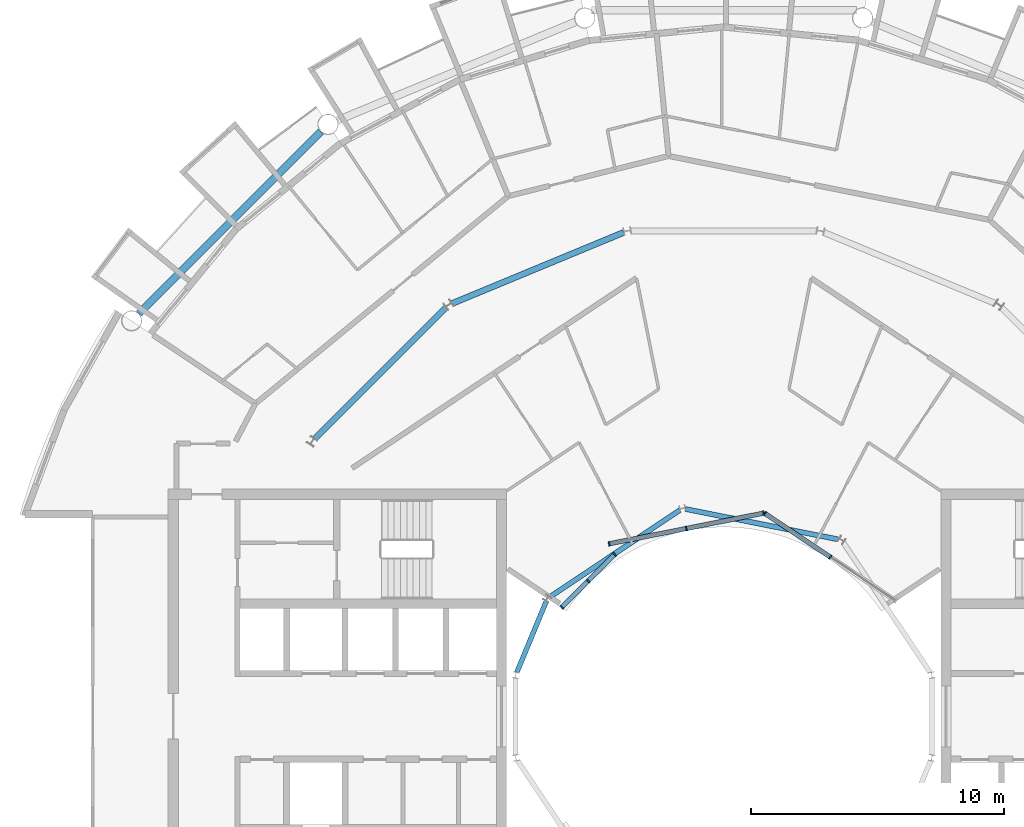
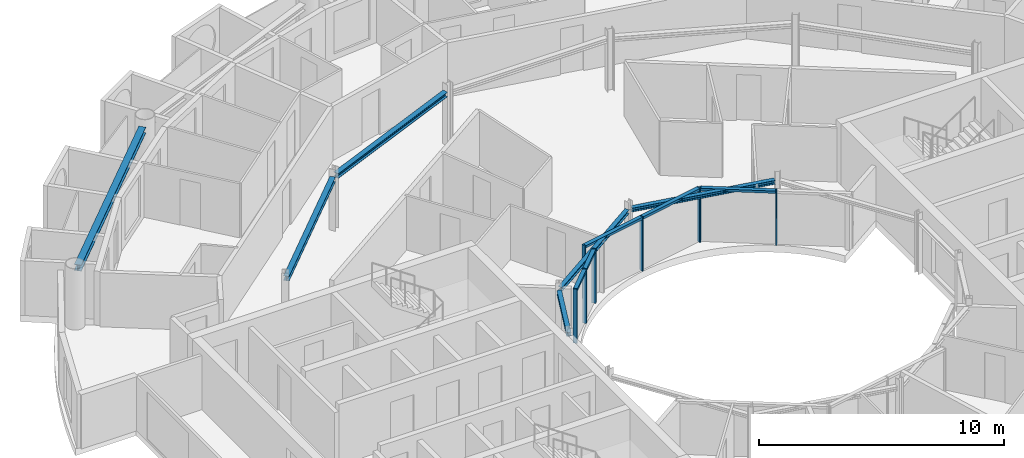
# One storey, part 9 of 28: 13 members, 6 beams, 3 elements without a shape of their own.
"""IFC4 building model written with IfcOpenShell, lengths in metres."""

import ifcopenshell
import ifcopenshell.guid

model = None  # the IFC model being written
_history = None  # IfcOwnerHistory: only IFC2X3 demands one
_inside = {}  # id of a spatial element -> (the spatial element, [elements in it])
_under = {}  # id of a project, library or spatial element -> (it, [spatial elements below it])
_declared = {}  # id of a project -> (the project, [libraries it declares])
_typed = {}  # id of a type object -> (the type object, [elements of that type])
_made_of = {}  # id of a material, layer set ... -> (it, [elements and type objects made of it])


def new_model(schema):
    """Start an empty IFC model of exactly this schema.

    Asked for "IFC4X3", IfcOpenShell would pick the latest addendum, in which some entities
    have other attributes; the version numbers below select the first issue.
    IFC2X3 requires an IfcOwnerHistory on every rooted entity: one is made here for all.
    """
    global model, _history
    if schema == "IFC4X3":
        model = ifcopenshell.file(schema_version=(4, 3, 0, 0))
    else:
        model = ifcopenshell.file(schema=schema)
    _inside.clear()
    _under.clear()
    _declared.clear()
    _typed.clear()
    _made_of.clear()
    _history = None
    if model.schema == "IFC2X3":
        org = make("IfcOrganization", Name="unknown")
        user = make(
            "IfcPersonAndOrganization",
            ThePerson=make("IfcPerson", FamilyName="unknown"),
            TheOrganization=org,
        )
        app = make(
            "IfcApplication",
            ApplicationDeveloper=org,
            Version="unknown",
            ApplicationFullName="unknown",
            ApplicationIdentifier="unknown",
        )
        _history = make(
            "IfcOwnerHistory",
            OwningUser=user,
            OwningApplication=app,
            ChangeAction="ADDED",
            CreationDate=0,
        )
    return model


def make(cls, **values):
    """One entity of the class cls with the attributes given. An attribute that is None is left unset."""
    return model.create_entity(
        cls, **{name: value for name, value in values.items() if value is not None}
    )


def rooted(cls, **values):
    """An entity with a GlobalId (a new one), such as an element, a storey or a relation."""
    return make(cls, GlobalId=ifcopenshell.guid.new(), OwnerHistory=_history, **values)


def si_unit(unit_type, name, prefix=None):
    """IfcSIUnit, for example si_unit("LENGTHUNIT", "METRE", prefix="MILLI")."""
    return make("IfcSIUnit", UnitType=unit_type, Prefix=prefix, Name=name)


def assignment(units):
    """IfcUnitAssignment: the units of a project."""
    return None if units is None else make("IfcUnitAssignment", Units=units)


def point(xyz):
    """IfcCartesianPoint."""
    return None if xyz is None else make("IfcCartesianPoint", Coordinates=xyz)


def direction(xyz):
    """IfcDirection."""
    return None if xyz is None else make("IfcDirection", DirectionRatios=xyz)


def frame(location, z_axis=None, x_axis=None):
    """IfcAxis2Placement3D, a coordinate frame: its origin and axes. An axis left out is left unset."""
    return make(
        "IfcAxis2Placement3D",
        Location=point(location),
        Axis=direction(z_axis),
        RefDirection=direction(x_axis),
    )


def frame_2d(location, x_axis=None):
    """IfcAxis2Placement2D, a coordinate frame in the plane: its origin and x axis."""
    return make(
        "IfcAxis2Placement2D", Location=point(location), RefDirection=direction(x_axis)
    )


def origin():
    """The frame at (0, 0, 0) with its axes left unset."""
    return frame((0.0, 0.0, 0.0))


def origin_2d():
    """The frame at (0, 0) in the plane with its x axis left unset."""
    return frame_2d((0.0, 0.0))


def place(relative_to, where):
    """IfcLocalPlacement: puts the frame where relative to a parent placement (None: the world)."""
    return make(
        "IfcLocalPlacement", PlacementRelTo=relative_to, RelativePlacement=where
    )


def context(
    kind, dimensions, precision=None, world=None, true_north=None, identifier=None
):
    """IfcGeometricRepresentationContext, for example the 3D "Model" context."""
    return make(
        "IfcGeometricRepresentationContext",
        ContextIdentifier=identifier,
        ContextType=kind,
        CoordinateSpaceDimension=dimensions,
        Precision=precision,
        WorldCoordinateSystem=world,
        TrueNorth=true_north,
    )


def subcontext(parent, identifier, kind, view, scale=None):
    """IfcGeometricRepresentationSubContext, for example "Body" below "Model"."""
    return make(
        "IfcGeometricRepresentationSubContext",
        ContextIdentifier=identifier,
        ContextType=kind,
        ParentContext=parent,
        TargetScale=scale,
        TargetView=view,
    )


def project(units=None, contexts=None):
    """IfcProject with its units and contexts."""
    return rooted(
        "IfcProject",
        Name="project",
        RepresentationContexts=contexts,
        UnitsInContext=assignment(units),
    )


def spatial(cls, under=None, at=None, **own):
    """A site, building, storey or space (cls), placed at a placement, below another one or the project."""
    s = rooted(cls, ObjectPlacement=at, **own)
    if under is not None:
        _under.setdefault(under.id(), (under, []))[1].append(s)
    return s


def profile(cls, at=None, kind="AREA", **sizes):
    """A parametric profile (cls). Its sizes go by their IFC names, for example OverallWidth=200.0."""
    return make(cls, ProfileType=kind, Position=at, **sizes)


def rectangle(**sizes):
    """IfcRectangleProfileDef."""
    return profile("IfcRectangleProfileDef", **sizes)


def i_section(**sizes):
    """IfcIShapeProfileDef."""
    return profile("IfcIShapeProfileDef", **sizes)


def extrude(swept, where, along, depth):
    """IfcExtrudedAreaSolid: the profile swept, set in the frame where, extruded along a direction by depth."""
    return make(
        "IfcExtrudedAreaSolid",
        SweptArea=swept,
        Position=where,
        ExtrudedDirection=direction(along),
        Depth=depth,
    )


def shape(context_of_items, identifier, shape_type, items):
    """IfcShapeRepresentation: the items that make up one representation, for example the "Body"."""
    return make(
        "IfcShapeRepresentation",
        ContextOfItems=context_of_items,
        RepresentationIdentifier=identifier,
        RepresentationType=shape_type,
        Items=items,
    )


def material(Name=None, Category=None):
    """IfcMaterial."""
    return make("IfcMaterial", Name=Name, Category=Category)


def layer(
    of_material, thickness, ventilated=None, Name=None, Category=None, Priority=None
):
    """IfcMaterialLayer: one layer of a wall or slab, of a material (None: an air gap)."""
    return make(
        "IfcMaterialLayer",
        Material=of_material,
        LayerThickness=thickness,
        IsVentilated=ventilated,
        Name=Name,
        Category=Category,
        Priority=Priority,
    )


def layer_set(layers, Name=None):
    """IfcMaterialLayerSet."""
    return make("IfcMaterialLayerSet", MaterialLayers=layers, LayerSetName=Name)


def material_profile(
    of_material, cross_section, Name=None, Category=None, Priority=None
):
    """IfcMaterialProfile: a cross section and its material."""
    return make(
        "IfcMaterialProfile",
        Name=Name,
        Material=of_material,
        Profile=cross_section,
        Priority=Priority,
        Category=Category,
    )


def profile_set(profiles, Name=None, composite=None):
    """IfcMaterialProfileSet."""
    return make(
        "IfcMaterialProfileSet",
        Name=Name,
        MaterialProfiles=profiles,
        CompositeProfile=composite,
    )


def made_of(thing, what):
    """Note that an element or type object is made of a material, layer set ...; save() writes the relation."""
    if what is not None:
        _made_of.setdefault(what.id(), (what, []))[1].append(thing)
    return thing


def type_object(cls, material=None, **own):
    """A type object (cls), such as IfcWallType, which elements share."""
    return made_of(rooted(cls, **own), material)


def element(
    cls,
    number,
    at=None,
    inside=None,
    cuts=None,
    type_object=None,
    material=None,
    context=None,
    identifier="Body",
    shape_type=None,
    held_by="IfcProductDefinitionShape",
    body=None,
    shapes=None,
    **own,
):
    """One element of the class cls, such as IfcWall. Its Tag is "e" and its number.

    at: its placement. inside: the storey or other place that contains it. cuts: it is an
    opening in that element (IfcRelVoidsElement). A single representation is given by context,
    identifier, shape_type and body (its items); several are given by shapes. held_by: the class
    of the entity that holds the representations. save() writes the other relations.
    """
    e = rooted(cls, Tag="e%d" % number, ObjectPlacement=at, **own)
    if body is not None:
        shapes = [shape(context, identifier, shape_type, body)]
    if shapes is not None:
        e.Representation = make(held_by, Representations=shapes)
    if inside is not None:
        _inside.setdefault(inside.id(), (inside, []))[1].append(e)
    if cuts is not None:
        rooted(
            "IfcRelVoidsElement", RelatingBuildingElement=cuts, RelatedOpeningElement=e
        )
    if type_object is not None:
        _typed.setdefault(type_object.id(), (type_object, []))[1].append(e)
    return made_of(e, material)


def aggregate(whole, parts):
    """IfcRelAggregates: a whole, such as a stair, and the parts it consists of."""
    return rooted("IfcRelAggregates", RelatingObject=whole, RelatedObjects=parts)


def save(model, path):
    """Write the relations noted so far, then the file.

    IfcRelAggregates (storeys below a building ...), IfcRelContainedInSpatialStructure (elements
    in a storey), IfcRelDefinesByType, IfcRelAssociatesMaterial and IfcRelDeclares: one each for
    every whole, place, type object, material and project.
    """
    for whole, parts in _under.values():
        aggregate(whole, parts)
    for where, things in _inside.values():
        rooted(
            "IfcRelContainedInSpatialStructure",
            RelatedElements=things,
            RelatingStructure=where,
        )
    for kind, things in _typed.values():
        rooted("IfcRelDefinesByType", RelatedObjects=things, RelatingType=kind)
    for what, things in _made_of.values():
        rooted("IfcRelAssociatesMaterial", RelatedObjects=things, RelatingMaterial=what)
    for by, libraries in _declared.values():
        rooted("IfcRelDeclares", RelatingContext=by, RelatedDefinitions=libraries)
    model.write(path)


model = new_model("IFC4")

# Units and contexts
model_context = context("Model", 3, precision=1e-05, world=origin(), true_north=direction((0.0, 1.0)))
body_context = subcontext(model_context, "Body", "Model", "MODEL_VIEW")
ifc_project = project(units=[si_unit("LENGTHUNIT", "METRE"), si_unit("AREAUNIT", "SQUARE_METRE"), si_unit("VOLUMEUNIT", "CUBIC_METRE"), si_unit("PLANEANGLEUNIT", "RADIAN"), si_unit("MASSUNIT", "GRAM", prefix="KILO")], contexts=[model_context])

# Site, building, storey
site_placement = place(None, origin())
site = spatial("IfcSite", under=ifc_project, at=site_placement, CompositionType="ELEMENT")
building_placement = place(site_placement, origin())
building = spatial("IfcBuilding", under=site, at=building_placement, Name="Maasbend Ring Residences", CompositionType="ELEMENT")
storey_placement = place(building_placement, frame((0.0, 0.0, 227.949951171875)))
storey = spatial("IfcBuildingStorey", under=building, at=storey_placement, Name="L65", CompositionType="ELEMENT", Elevation=227.949951171875)

# Curtain wall, members
ifc_material_1 = material(Name="Aluminium and clear glass", Category="aluminium")
ifc_layer = layer(ifc_material_1, 0.179931640625)
ifc_layer_set = layer_set([ifc_layer], Name="CW-W")
curtain_wall_type = type_object("IfcCurtainWallType", Name="CW-W", PredefinedType="NOTDEFINED", material=ifc_layer_set)
curtain_wall_1_placement = place(storey_placement, origin())
curtain_wall_1 = element("IfcCurtainWall", 1, at=curtain_wall_1_placement, inside=storey, type_object=curtain_wall_type, Name="Well curtain wall N1", PredefinedType="NOTDEFINED")
ifc_material_2 = material(Name="Aluminium 6063-T6", Category="aluminium")
ifc_material_profile_1 = material_profile(ifc_material_2, rectangle(XDim=0.179931640625, YDim=0.06005859375, at=origin_2d()), Name="AL 180x60")
ifc_profile_set_1 = profile_set([ifc_material_profile_1], Name="Aluminium 6063-T6")
member_type_1 = type_object("IfcMemberType", Name="CWM-W", PredefinedType="MULLION", material=ifc_profile_set_1)
member_1_placement = place(storey_placement, frame((4.216796875, 6.310791015625, 0.0), z_axis=(0.0, 0.0, 1.0), x_axis=(-0.55557023302, -0.831469612303, 0.0)))
member_1 = element("IfcMember", 2, at=member_1_placement, type_object=member_type_1, Name="Mullion well face", PredefinedType="MULLION", context=body_context, shape_type="SweptSolid", body=[
    extrude(rectangle(XDim=0.179931640625, YDim=0.06005859375, at=origin_2d()), origin(), (0.0, 0.0, 1.0), 2.699951171875),
])
member_2_placement = place(storey_placement, frame((1.627685546875, 8.040771484375, 0.0), z_axis=(0.0, 0.0, 1.0), x_axis=(-0.55557023302, -0.831469612303, 0.0)))
member_2 = element("IfcMember", 3, at=member_2_placement, type_object=member_type_1, Name="Mullion well face", PredefinedType="MULLION", context=body_context, shape_type="SweptSolid", body=[
    extrude(rectangle(XDim=0.179931640625, YDim=0.06005859375, at=origin_2d()), origin(), (0.0, 0.0, 1.0), 2.699951171875),
])

curtain_wall_2_placement = place(storey_placement, origin())
curtain_wall_2 = element("IfcCurtainWall", 4, at=curtain_wall_2_placement, inside=storey, type_object=curtain_wall_type, Name="Well curtain wall N2", PredefinedType="NOTDEFINED")
member_3_placement = place(storey_placement, frame((1.5732421875, 8.0517578125, 0.0), z_axis=(0.0, 0.0, 1.0), x_axis=(0.195090322016, -0.980785280403, 0.0)))
member_3 = element("IfcMember", 5, at=member_3_placement, type_object=member_type_1, Name="Mullion well face", PredefinedType="MULLION", context=body_context, shape_type="SweptSolid", body=[
    extrude(rectangle(XDim=0.179931640625, YDim=0.06005859375, at=origin_2d()), origin(), (0.0, 0.0, 1.0), 2.699951171875),
])
member_4_placement = place(storey_placement, frame((-1.480712890625, 7.444091796875, 0.0), z_axis=(0.0, 0.0, 1.0), x_axis=(0.195090322016, -0.980785280403, 0.0)))
member_4 = element("IfcMember", 6, at=member_4_placement, type_object=member_type_1, Name="Mullion well face", PredefinedType="MULLION", context=body_context, shape_type="SweptSolid", body=[
    extrude(rectangle(XDim=0.179931640625, YDim=0.06005859375, at=origin_2d()), origin(), (0.0, 0.0, 1.0), 2.699951171875),
])
member_5_placement = place(storey_placement, frame((-4.53466796875, 6.836669921875, 0.0), z_axis=(0.0, 0.0, 1.0), x_axis=(0.195090322016, -0.980785280403, 0.0)))
member_5 = element("IfcMember", 7, at=member_5_placement, type_object=member_type_1, Name="Mullion well face", PredefinedType="MULLION", context=body_context, shape_type="SweptSolid", body=[
    extrude(rectangle(XDim=0.179931640625, YDim=0.06005859375, at=origin_2d()), origin(), (0.0, 0.0, 1.0), 2.699951171875),
])

curtain_wall_3_placement = place(storey_placement, origin())
curtain_wall_3 = element("IfcCurtainWall", 8, at=curtain_wall_3_placement, inside=storey, type_object=curtain_wall_type, Name="Well curtain wall N3", PredefinedType="NOTDEFINED")
member_6_placement = place(storey_placement, frame((-4.320556640625, 6.413330078125, 0.0), z_axis=(0.0, 0.0, 1.0), x_axis=(0.707106781187, -0.707106781187, 0.0)))
member_6 = element("IfcMember", 9, at=member_6_placement, type_object=member_type_1, Name="Mullion well face", PredefinedType="MULLION", context=body_context, shape_type="SweptSolid", body=[
    extrude(rectangle(XDim=0.179931640625, YDim=0.06005859375, at=origin_2d()), origin(), (0.0, 0.0, 1.0), 2.699951171875),
])
member_7_placement = place(storey_placement, frame((-5.366943359375, 5.366943359375, 0.0), z_axis=(0.0, 0.0, 1.0), x_axis=(0.707106781187, -0.707106781187, 0.0)))
member_7 = element("IfcMember", 10, at=member_7_placement, type_object=member_type_1, Name="Mullion well face", PredefinedType="MULLION", context=body_context, shape_type="SweptSolid", body=[
    extrude(rectangle(XDim=0.179931640625, YDim=0.06005859375, at=origin_2d()), origin(), (0.0, 0.0, 1.0), 2.699951171875),
])
member_8_placement = place(storey_placement, frame((-6.413330078125, 4.320556640625, 0.0), z_axis=(0.0, 0.0, 1.0), x_axis=(0.707106781187, -0.707106781187, 0.0)))
member_8 = element("IfcMember", 11, at=member_8_placement, type_object=member_type_1, Name="Mullion well face", PredefinedType="MULLION", context=body_context, shape_type="SweptSolid", body=[
    extrude(rectangle(XDim=0.179931640625, YDim=0.06005859375, at=origin_2d()), origin(), (0.0, 0.0, 1.0), 2.699951171875),
])

# Member
ifc_material_3 = material(Name="Aluminium 6063-T6", Category="aluminium")
ifc_material_profile_2 = material_profile(ifc_material_3, rectangle(XDim=0.179931640625, YDim=0.1201171875, at=origin_2d()), Name="AL 180x120")
ifc_profile_set_2 = profile_set([ifc_material_profile_2], Name="Aluminium 6063-T6")
member_type_2 = type_object("IfcMemberType", Name="CWT-W", PredefinedType="USERDEFINED", material=ifc_profile_set_2)
member_9_placement = place(storey_placement, frame((4.19189453125, 6.32763671875, 2.64013671875), z_axis=(-0.831496422459, 0.555530106689, 0.0), x_axis=(-0.555530106689, -0.831496422459, 0.0)))
member_9 = element("IfcMember", 12, at=member_9_placement, type_object=member_type_2, Name="Transom well face", ObjectType="TRANSOM", PredefinedType="USERDEFINED", context=body_context, shape_type="SweptSolid", body=[
    extrude(rectangle(XDim=0.179931640625, YDim=0.1201171875, at=origin_2d()), origin(), (0.0, 0.0, 1.0), 3.053955078125),
])

aggregate(curtain_wall_1, [member_1, member_2, member_9])

member_10_placement = place(storey_placement, frame((1.5439453125, 8.0458984375, 2.64013671875), z_axis=(-0.980776956105, -0.195132166424, 0.0), x_axis=(0.195132166424, -0.980776956105, 0.0)))
member_10 = element("IfcMember", 13, at=member_10_placement, type_object=member_type_2, Name="Transom well face", ObjectType="TRANSOM", PredefinedType="USERDEFINED", context=body_context, shape_type="SweptSolid", body=[
    extrude(rectangle(XDim=0.179931640625, YDim=0.1201171875, at=origin_2d()), origin(), (0.0, 0.0, 1.0), 3.053955078125),
])

member_11_placement = place(storey_placement, frame((-1.51025390625, 7.438232421875, 2.64013671875), z_axis=(-0.980789210404, -0.19507056353, 0.0), x_axis=(0.19507056353, -0.980789210404, 0.0)))
member_11 = element("IfcMember", 14, at=member_11_placement, type_object=member_type_2, Name="Transom well face", ObjectType="TRANSOM", PredefinedType="USERDEFINED", context=body_context, shape_type="SweptSolid", body=[
    extrude(rectangle(XDim=0.179931640625, YDim=0.1201171875, at=origin_2d()), origin(), (0.0, 0.0, 1.0), 3.0537109375),
])

aggregate(curtain_wall_2, [member_3, member_4, member_5, member_10, member_11])

member_12_placement = place(storey_placement, frame((-4.341796875, 6.39208984375, 2.64013671875), z_axis=(-0.707106781187, -0.707106781187, 0.0), x_axis=(0.707106781187, -0.707106781187, 0.0)))
member_12 = element("IfcMember", 15, at=member_12_placement, type_object=member_type_2, Name="Transom well face", ObjectType="TRANSOM", PredefinedType="USERDEFINED", context=body_context, shape_type="SweptSolid", body=[
    extrude(rectangle(XDim=0.179931640625, YDim=0.1201171875, at=origin_2d()), origin(), (0.0, 0.0, 1.0), 1.419677734375),
])

member_13_placement = place(storey_placement, frame((-5.38818359375, 5.345703125, 2.64013671875), z_axis=(-0.707106781187, -0.707106781187, 0.0), x_axis=(0.707106781187, -0.707106781187, 0.0)))
member_13 = element("IfcMember", 16, at=member_13_placement, type_object=member_type_2, Name="Transom well face", ObjectType="TRANSOM", PredefinedType="USERDEFINED", context=body_context, shape_type="SweptSolid", body=[
    extrude(rectangle(XDim=0.179931640625, YDim=0.1201171875, at=origin_2d()), origin(), (0.0, 0.0, 1.0), 1.419677734375),
])

aggregate(curtain_wall_3, [member_6, member_7, member_8, member_12, member_13])

# Beams
ifc_material_4 = material(Name="Steel S355J2", Category="steel")
ifc_material_profile_3 = material_profile(ifc_material_4, i_section(OverallWidth=0.239990234375, OverallDepth=0.22998046875, WebThickness=0.007568359375, FlangeThickness=0.011962890625, FilletRadius=0.02099609375, at=origin_2d()), Name="HEA 240")
ifc_profile_set_3 = profile_set([ifc_material_profile_3], Name="Steel S355J2")
beam_type_1 = type_object("IfcBeamType", Name="Corridor ring beam HEA 240", PredefinedType="BEAM", material=ifc_profile_set_3)
beam_1_placement = place(storey_placement, frame((-3.965087890625, 19.164794921875, 2.5849609375), z_axis=(-0.923875784142, -0.382692481603, 0.0), x_axis=(0.382692481603, -0.923875784142, 0.0)))
element("IfcBeam", 17, at=beam_1_placement, inside=storey, type_object=beam_type_1, Name="Corridor ring beam", PredefinedType="BEAM", context=body_context, shape_type="SweptSolid", body=[
    extrude(i_section(OverallWidth=0.239990234375, OverallDepth=0.22998046875, WebThickness=0.007568359375, FlangeThickness=0.011962890625, FilletRadius=0.02099609375, at=origin_2d()), origin(), (0.0, 0.0, 1.0), 7.341552734375),
])
beam_2_placement = place(storey_placement, frame((-10.997314453125, 16.188720703125, 2.5849609375), z_axis=(-0.707106781187, -0.707106781187, 0.0), x_axis=(0.707106781187, -0.707106781187, 0.0)))
element("IfcBeam", 18, at=beam_2_placement, inside=storey, type_object=beam_type_1, Name="Corridor ring beam", PredefinedType="BEAM", context=body_context, shape_type="SweptSolid", body=[
    extrude(i_section(OverallWidth=0.239990234375, OverallDepth=0.22998046875, WebThickness=0.007568359375, FlangeThickness=0.011962890625, FilletRadius=0.02099609375, at=origin_2d()), origin(), (0.0, 0.0, 1.0), 7.341796875),
])
ifc_material_5 = material(Name="Steel S355J2", Category="steel")
ifc_material_profile_4 = material_profile(ifc_material_5, i_section(OverallWidth=0.300048828125, OverallDepth=0.300048828125, WebThickness=0.010986328125, FlangeThickness=0.01904296875, FilletRadius=0.027099609375, at=origin_2d()), Name="HEB 300")
ifc_profile_set_4 = profile_set([ifc_material_profile_4], Name="Steel S355J2")
beam_type_2 = type_object("IfcBeamType", Name="Spandrel ring beam HEB 300", PredefinedType="SPANDREL", material=ifc_profile_set_4)
beam_3_placement = place(storey_placement, frame((-15.95458984375, 23.159912109375, 2.550048828125), z_axis=(-0.707106781187, -0.707106781187, 0.0), x_axis=(0.707106781187, -0.707106781187, 0.0)))
element("IfcBeam", 19, at=beam_3_placement, inside=storey, type_object=beam_type_2, Name="Spandrel ring beam", PredefinedType="SPANDREL", context=body_context, shape_type="SweptSolid", body=[
    extrude(i_section(OverallWidth=0.300048828125, OverallDepth=0.300048828125, WebThickness=0.010986328125, FlangeThickness=0.01904296875, FilletRadius=0.027099609375, at=origin_2d()), origin(), (0.0, 0.0, 1.0), 10.18994140625),
])
ifc_material_6 = material(Name="Steel S355J2", Category="steel")
ifc_material_profile_5 = material_profile(ifc_material_6, i_section(OverallWidth=0.199951171875, OverallDepth=0.18994140625, WebThickness=0.006591796875, FlangeThickness=0.010009765625, FilletRadius=0.01806640625, at=origin_2d()), Name="HEA 200")
ifc_profile_set_5 = profile_set([ifc_material_profile_5], Name="Steel S355J2")
beam_type_3 = type_object("IfcBeamType", Name="Well edge beam HEA 200", PredefinedType="BEAM", material=ifc_profile_set_5)
for number, where, z_axis, x_axis, name in (
    (20, (4.544677734375, 7.008544921875, 2.60498046875), (-0.98078072474, 0.195113223486, 0.0), (-0.195113223486, -0.98078072474, 0.0), "Well edge beam"),
    (21, (-1.7421875, 8.16943359375, 2.60498046875), (-0.831484648286, -0.555547729421, 0.0), (0.555547729421, -0.831484648286, 0.0), "Well edge beam"),
):
    element("IfcBeam", number, at=place(storey_placement, frame(where, z_axis=z_axis, x_axis=x_axis)), inside=storey, type_object=beam_type_3, Name=name, PredefinedType="BEAM", context=body_context, shape_type="SweptSolid", body=[
        extrude(i_section(OverallWidth=0.199951171875, OverallDepth=0.18994140625, WebThickness=0.006591796875, FlangeThickness=0.010009765625, FilletRadius=0.01806640625, at=origin_2d()), origin(), (0.0, 0.0, 1.0), 6.18017578125),
    ])
beam_4_placement = place(storey_placement, frame((-7.029296875, 4.55859375, 2.60498046875), z_axis=(-0.382609241817, -0.923910259753, 0.0), x_axis=(0.923910259753, -0.382609241817, 0.0)))
element("IfcBeam", 22, at=beam_4_placement, inside=storey, type_object=beam_type_3, Name="Well edge beam", PredefinedType="BEAM", context=body_context, shape_type="SweptSolid", body=[
    extrude(i_section(OverallWidth=0.199951171875, OverallDepth=0.18994140625, WebThickness=0.006591796875, FlangeThickness=0.010009765625, FilletRadius=0.01806640625, at=origin_2d()), origin(), (0.0, 0.0, 1.0), 3.04296875),
])

save(model, "model.ifc")
